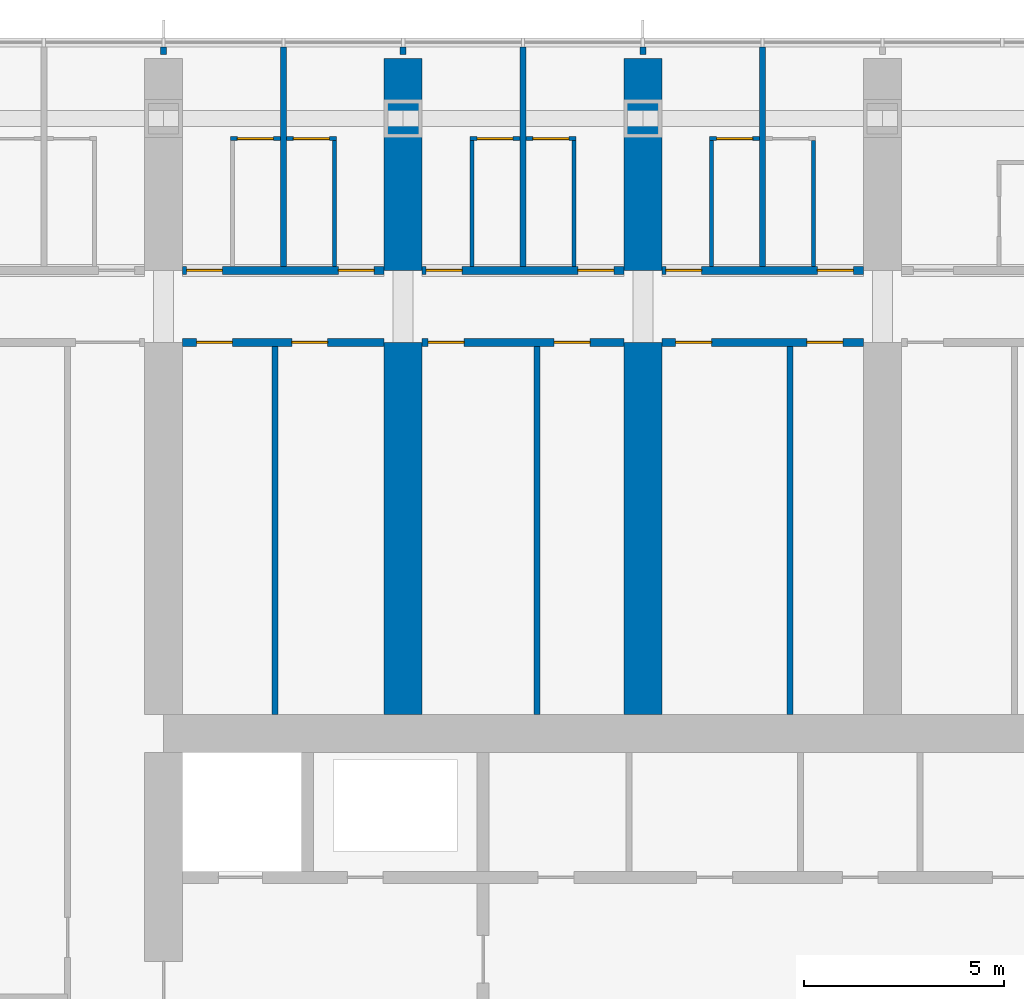
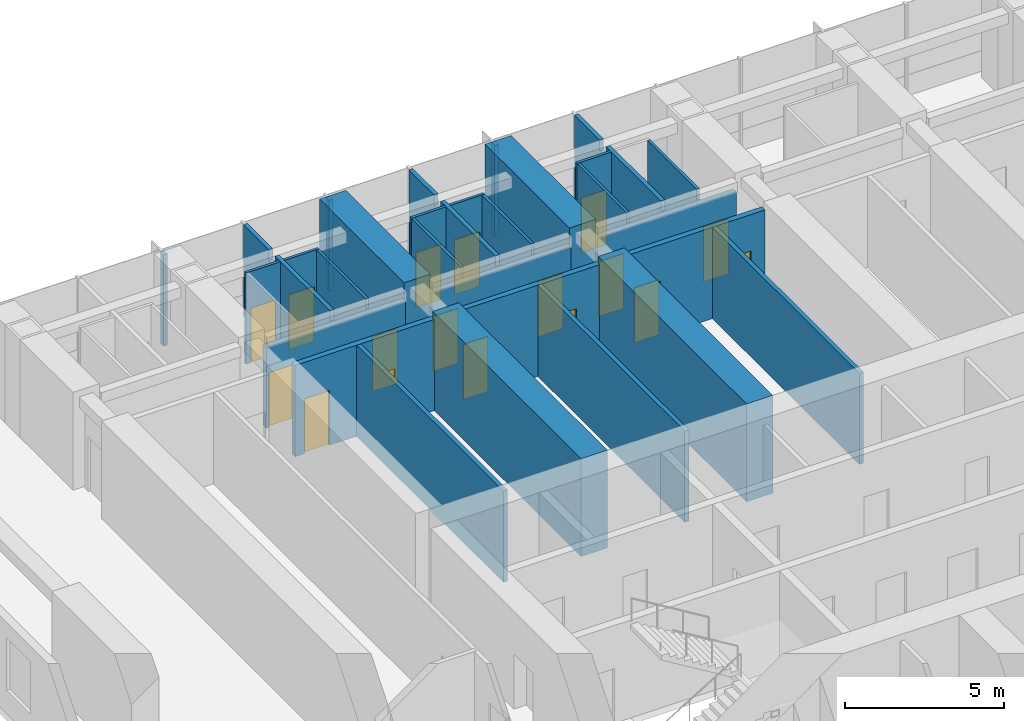
# One storey, part 14 of 22: 29 walls, 17 doors, 17 openings.
"""IFC4 building model written with IfcOpenShell, lengths in metres."""

from ifc_helpers import new_model, si_unit, direction, frame, frame_2d, origin, place, context, subcontext, project, spatial, polyline, rectangle, outline, extrude, material, layer, layer_set, type_object, element, fill, save


model = new_model("IFC4")

# Units and contexts
model_context = context("Model", 3, precision=1e-05, world=origin(), true_north=direction((0.0, 1.0)))
body_context = subcontext(model_context, "Body", "Model", "MODEL_VIEW")
ifc_project = project(units=[si_unit("LENGTHUNIT", "METRE"), si_unit("AREAUNIT", "SQUARE_METRE"), si_unit("VOLUMEUNIT", "CUBIC_METRE"), si_unit("PLANEANGLEUNIT", "RADIAN"), si_unit("MASSUNIT", "GRAM", prefix="KILO")], contexts=[model_context])

# Site, building, storey
site_placement = place(None, origin())
site = spatial("IfcSite", under=ifc_project, at=site_placement, CompositionType="ELEMENT")
building_placement = place(site_placement, origin())
building = spatial("IfcBuilding", under=site, at=building_placement, Name="Orbita Commons", CompositionType="ELEMENT")
storey_placement = place(building_placement, frame((0.0, 0.0, 121.89990234375)))
storey = spatial("IfcBuildingStorey", under=building, at=storey_placement, Name="L30", CompositionType="ELEMENT", Elevation=121.89990234375)

# Wall, openings, doors
ifc_material_1 = material(Name="Concrete blockwork", Category="masonry")
ifc_layer_1 = layer(ifc_material_1, 0.199951171875)
ifc_layer_set_1 = layer_set([ifc_layer_1], Name="Concrete blockwork")
wall_type_1 = type_object("IfcWallType", Name="Corridor wall 200 blockwork", PredefinedType="SOLIDWALL", material=ifc_layer_set_1)
wall_1_placement = place(storey_placement, frame((18.47509765625, 49.800048828125, 0.0), z_axis=(0.0, 0.0, 1.0), x_axis=(1.0, 0.0, 0.0)))
wall_1 = element("IfcWall", 1, at=wall_1_placement, inside=storey, type_object=wall_type_1, Name="Corridor wall 200 blockwork L30", PredefinedType="SOLIDWALL", context=body_context, shape_type="SweptSolid", body=[
    extrude(outline(polyline([(0.0, 0.0), (5.0498046875, 0.0), (5.050048828125, 3.10009765625), (0.0, 3.10009765625), (0.0, 0.0)])), frame((0.0, 0.10009765625, 0.0), z_axis=(0.0, -1.0, 0.0), x_axis=(1.0, 0.0, 0.0)), (0.0, 0.0, 1.0), 0.199951171875),
])
opening_1_placement = place(wall_1_placement, frame((0.10009765625, 0.0, 0.0)))
opening_1 = element("IfcOpeningElement", 2, at=opening_1_placement, cuts=wall_1, Name="Opening D11", PredefinedType="OPENING", context=body_context, shape_type="SweptSolid", body=[
    extrude(rectangle(XDim=0.89990234375, YDim=2.10009765625, at=frame_2d((0.449951171875, 1.050048828125))), frame((0.0, 0.10986328125, 0.0), z_axis=(0.0, -1.0, 0.0), x_axis=(1.0, 0.0, 0.0)), (0.0, 0.0, 1.0), 0.219970703125),
])
opening_2_placement = place(wall_1_placement, frame((3.89990234375, 0.0, 0.0)))
opening_2 = element("IfcOpeningElement", 3, at=opening_2_placement, cuts=wall_1, Name="Opening D11", PredefinedType="OPENING", context=body_context, shape_type="SweptSolid", body=[
    extrude(rectangle(XDim=0.89990234375, YDim=2.10009765625, at=frame_2d((0.449951171875, 1.050048828125))), frame((0.0, 0.10986328125, 0.0), z_axis=(0.0, -1.0, 0.0), x_axis=(1.0, 0.0, 0.0)), (0.0, 0.0, 1.0), 0.219970703125),
])
ifc_material_2 = material(Name="Steel-faced fire door leaf", Category="steel")
door_type_1 = type_object("IfcDoorType", Name="Corridor door 20 min 900x2100", OperationType="SINGLE_SWING_LEFT", PredefinedType="DOOR", material=ifc_material_2)
door_1_placement = place(opening_1_placement, origin())
door_1 = element("IfcDoor", 4, at=door_1_placement, inside=storey, type_object=door_type_1, Name="Cluster bedroom L30-N02 door", OperationType="SINGLE_SWING_LEFT", OverallHeight=2.10009765625, OverallWidth=0.89990234375, PredefinedType="DOOR", context=body_context, shape_type="SweptSolid", body=[
    extrude(rectangle(XDim=0.89990234375, YDim=2.10009765625, at=frame_2d((0.449951171875, 1.050048828125))), frame((0.0, 0.02490234375, 0.0), z_axis=(0.0, -1.0, 0.0), x_axis=(1.0, 0.0, 0.0)), (0.0, 0.0, 1.0), 0.050048828125),
])
fill(opening_1, door_1)
door_2_placement = place(opening_2_placement, origin())
door_2 = element("IfcDoor", 5, at=door_2_placement, inside=storey, type_object=door_type_1, Name="Cluster bedroom L30-N03 door", OperationType="SINGLE_SWING_LEFT", OverallHeight=2.10009765625, OverallWidth=0.89990234375, PredefinedType="DOOR", context=body_context, shape_type="SweptSolid", body=[
    extrude(rectangle(XDim=0.89990234375, YDim=2.10009765625, at=frame_2d((0.449951171875, 1.050048828125))), frame((0.0, 0.02490234375, 0.0), z_axis=(0.0, -1.0, 0.0), x_axis=(1.0, 0.0, 0.0)), (0.0, 0.0, 1.0), 0.050048828125),
])
fill(opening_2, door_2)

wall_2_placement = place(storey_placement, frame((24.47509765625, 49.800048828125, 0.0), z_axis=(0.0, 0.0, 1.0), x_axis=(1.0, 0.0, 0.0)))
wall_2 = element("IfcWall", 6, at=wall_2_placement, inside=storey, type_object=wall_type_1, Name="Corridor wall 200 blockwork L30", PredefinedType="SOLIDWALL", context=body_context, shape_type="SweptSolid", body=[
    extrude(outline(polyline([(0.0, 0.0), (5.0498046875, 0.0), (5.050048828125, 3.10009765625), (0.0, 3.10009765625), (0.0, 0.0)])), frame((0.0, 0.10009765625, 0.0), z_axis=(0.0, -1.0, 0.0), x_axis=(1.0, 0.0, 0.0)), (0.0, 0.0, 1.0), 0.199951171875),
])
opening_3_placement = place(wall_2_placement, frame((0.10009765625, 0.0, 0.0)))
opening_3 = element("IfcOpeningElement", 7, at=opening_3_placement, cuts=wall_2, Name="Opening D11", PredefinedType="OPENING", context=body_context, shape_type="SweptSolid", body=[
    extrude(rectangle(XDim=0.89990234375, YDim=2.10009765625, at=frame_2d((0.449951171875, 1.050048828125))), frame((0.0, 0.10986328125, 0.0), z_axis=(0.0, -1.0, 0.0), x_axis=(1.0, 0.0, 0.0)), (0.0, 0.0, 1.0), 0.219970703125),
])
opening_4_placement = place(wall_2_placement, frame((3.89990234375, 0.0, 0.0)))
opening_4 = element("IfcOpeningElement", 8, at=opening_4_placement, cuts=wall_2, Name="Opening D11", PredefinedType="OPENING", context=body_context, shape_type="SweptSolid", body=[
    extrude(rectangle(XDim=0.89990234375, YDim=2.10009765625, at=frame_2d((0.449951171875, 1.050048828125))), frame((0.0, 0.10986328125, 0.0), z_axis=(0.0, -1.0, 0.0), x_axis=(1.0, 0.0, 0.0)), (0.0, 0.0, 1.0), 0.219970703125),
])
door_3_placement = place(opening_3_placement, origin())
door_3 = element("IfcDoor", 9, at=door_3_placement, inside=storey, type_object=door_type_1, Name="Cluster bedroom L30-N04 door", OperationType="SINGLE_SWING_LEFT", OverallHeight=2.10009765625, OverallWidth=0.89990234375, PredefinedType="DOOR", context=body_context, shape_type="SweptSolid", body=[
    extrude(rectangle(XDim=0.89990234375, YDim=2.10009765625, at=frame_2d((0.449951171875, 1.050048828125))), frame((0.0, 0.02490234375, 0.0), z_axis=(0.0, -1.0, 0.0), x_axis=(1.0, 0.0, 0.0)), (0.0, 0.0, 1.0), 0.050048828125),
])
fill(opening_3, door_3)
door_4_placement = place(opening_4_placement, origin())
door_4 = element("IfcDoor", 10, at=door_4_placement, inside=storey, type_object=door_type_1, Name="Cluster bedroom L30-N05 door", OperationType="SINGLE_SWING_LEFT", OverallHeight=2.10009765625, OverallWidth=0.89990234375, PredefinedType="DOOR", context=body_context, shape_type="SweptSolid", body=[
    extrude(rectangle(XDim=0.89990234375, YDim=2.10009765625, at=frame_2d((0.449951171875, 1.050048828125))), frame((0.0, 0.02490234375, 0.0), z_axis=(0.0, -1.0, 0.0), x_axis=(1.0, 0.0, 0.0)), (0.0, 0.0, 1.0), 0.050048828125),
])
fill(opening_4, door_4)

wall_3_placement = place(storey_placement, frame((30.47509765625, 49.800048828125, 0.0), z_axis=(0.0, 0.0, 1.0), x_axis=(1.0, 0.0, 0.0)))
wall_3 = element("IfcWall", 11, at=wall_3_placement, inside=storey, type_object=wall_type_1, Name="Corridor wall 200 blockwork L30", PredefinedType="SOLIDWALL", context=body_context, shape_type="SweptSolid", body=[
    extrude(outline(polyline([(0.0, 0.0), (5.0498046875, 0.0), (5.050048828125, 3.10009765625), (0.0, 3.10009765625), (0.0, 0.0)])), frame((0.0, 0.10009765625, 0.0), z_axis=(0.0, -1.0, 0.0), x_axis=(1.0, 0.0, 0.0)), (0.0, 0.0, 1.0), 0.199951171875),
])
opening_5_placement = place(wall_3_placement, frame((0.10009765625, 0.0, 0.0)))
opening_5 = element("IfcOpeningElement", 12, at=opening_5_placement, cuts=wall_3, Name="Opening D11", PredefinedType="OPENING", context=body_context, shape_type="SweptSolid", body=[
    extrude(rectangle(XDim=0.89990234375, YDim=2.10009765625, at=frame_2d((0.449951171875, 1.050048828125))), frame((0.0, 0.10986328125, 0.0), z_axis=(0.0, -1.0, 0.0), x_axis=(1.0, 0.0, 0.0)), (0.0, 0.0, 1.0), 0.219970703125),
])
opening_6_placement = place(wall_3_placement, frame((3.89990234375, 0.0, 0.0)))
opening_6 = element("IfcOpeningElement", 13, at=opening_6_placement, cuts=wall_3, Name="Opening D11", PredefinedType="OPENING", context=body_context, shape_type="SweptSolid", body=[
    extrude(rectangle(XDim=0.89990234375, YDim=2.10009765625, at=frame_2d((0.449951171875, 1.050048828125))), frame((0.0, 0.10986328125, 0.0), z_axis=(0.0, -1.0, 0.0), x_axis=(1.0, 0.0, 0.0)), (0.0, 0.0, 1.0), 0.219970703125),
])
door_5_placement = place(opening_5_placement, origin())
door_5 = element("IfcDoor", 14, at=door_5_placement, inside=storey, type_object=door_type_1, Name="Cluster bedroom L30-N06 door", OperationType="SINGLE_SWING_LEFT", OverallHeight=2.10009765625, OverallWidth=0.89990234375, PredefinedType="DOOR", context=body_context, shape_type="SweptSolid", body=[
    extrude(rectangle(XDim=0.89990234375, YDim=2.10009765625, at=frame_2d((0.449951171875, 1.050048828125))), frame((0.0, 0.02490234375, 0.0), z_axis=(0.0, -1.0, 0.0), x_axis=(1.0, 0.0, 0.0)), (0.0, 0.0, 1.0), 0.050048828125),
])
fill(opening_5, door_5)
door_6_placement = place(opening_6_placement, origin())
door_6 = element("IfcDoor", 15, at=door_6_placement, inside=storey, type_object=door_type_1, Name="Cluster bedroom L30-N07 door", OperationType="SINGLE_SWING_LEFT", OverallHeight=2.10009765625, OverallWidth=0.89990234375, PredefinedType="DOOR", context=body_context, shape_type="SweptSolid", body=[
    extrude(rectangle(XDim=0.89990234375, YDim=2.10009765625, at=frame_2d((0.449951171875, 1.050048828125))), frame((0.0, 0.02490234375, 0.0), z_axis=(0.0, -1.0, 0.0), x_axis=(1.0, 0.0, 0.0)), (0.0, 0.0, 1.0), 0.050048828125),
])
fill(opening_6, door_6)

ifc_material_3 = material(Name="Hollow concrete block 200", Category="concrete")
ifc_layer_2 = layer(ifc_material_3, 0.199951171875)
ifc_layer_set_2 = layer_set([ifc_layer_2], Name="Hollow concrete block 200")
wall_type_2 = type_object("IfcWallType", Name="Corridor wall 200 hollow concrete block", PredefinedType="SOLIDWALL", material=ifc_layer_set_2)
wall_4_placement = place(storey_placement, frame((18.47509765625, 48.0, 0.0), z_axis=(0.0, 0.0, 1.0), x_axis=(1.0, 0.0, 0.0)))
wall_4 = element("IfcWall", 16, at=wall_4_placement, inside=storey, type_object=wall_type_2, Name="Corridor wall 200 hollow concrete block L30", PredefinedType="SOLIDWALL", context=body_context, shape_type="SweptSolid", body=[
    extrude(rectangle(XDim=5.0498046875, YDim=0.199951171875, at=frame_2d((2.52490234375, 0.0))), origin(), (0.0, 0.0, 1.0), 3.5),
])
opening_7_placement = place(wall_4_placement, frame((0.35009765625, 0.0, 0.0)))
opening_7 = element("IfcOpeningElement", 17, at=opening_7_placement, cuts=wall_4, Name="Opening D11", PredefinedType="OPENING", context=body_context, shape_type="SweptSolid", body=[
    extrude(rectangle(XDim=0.89990234375, YDim=2.10009765625, at=frame_2d((0.449951171875, 1.050048828125))), frame((0.0, 0.10986328125, 0.0), z_axis=(0.0, -1.0, 0.0), x_axis=(1.0, 0.0, 0.0)), (0.0, 0.0, 1.0), 0.219970703125),
])
opening_8_placement = place(wall_4_placement, frame((2.735107421875, 0.0, 0.0)))
opening_8 = element("IfcOpeningElement", 18, at=opening_8_placement, cuts=wall_4, Name="Opening D11", PredefinedType="OPENING", context=body_context, shape_type="SweptSolid", body=[
    extrude(rectangle(XDim=0.89990234375, YDim=2.10009765625, at=frame_2d((0.449951171875, 1.050048828125))), frame((0.0, 0.10986328125, 0.0), z_axis=(0.0, -1.0, 0.0), x_axis=(1.0, 0.0, 0.0)), (0.0, 0.0, 1.0), 0.219970703125),
])
door_7_placement = place(opening_7_placement, origin())
door_7 = element("IfcDoor", 19, at=door_7_placement, inside=storey, type_object=door_type_1, Name="Equipment store L30-BDN18n door", OperationType="SINGLE_SWING_LEFT", OverallHeight=2.10009765625, OverallWidth=0.89990234375, PredefinedType="DOOR", context=body_context, shape_type="SweptSolid", body=[
    extrude(rectangle(XDim=0.89990234375, YDim=2.10009765625, at=frame_2d((0.449951171875, 1.050048828125))), frame((0.0, 0.02490234375, 0.0), z_axis=(0.0, -1.0, 0.0), x_axis=(1.0, 0.0, 0.0)), (0.0, 0.0, 1.0), 0.050048828125),
])
fill(opening_7, door_7)
door_8_placement = place(opening_8_placement, origin())
door_8 = element("IfcDoor", 20, at=door_8_placement, inside=storey, type_object=door_type_1, Name="Refuse and recycling room L30-BDN18 door", OperationType="SINGLE_SWING_LEFT", OverallHeight=2.10009765625, OverallWidth=0.89990234375, PredefinedType="DOOR", context=body_context, shape_type="SweptSolid", body=[
    extrude(rectangle(XDim=0.89990234375, YDim=2.10009765625, at=frame_2d((0.449951171875, 1.050048828125))), frame((0.0, 0.02490234375, 0.0), z_axis=(0.0, -1.0, 0.0), x_axis=(1.0, 0.0, 0.0)), (0.0, 0.0, 1.0), 0.050048828125),
])
fill(opening_8, door_8)

wall_5_placement = place(storey_placement, frame((24.47509765625, 48.0, 0.0), z_axis=(0.0, 0.0, 1.0), x_axis=(1.0, 0.0, 0.0)))
wall_5 = element("IfcWall", 21, at=wall_5_placement, inside=storey, type_object=wall_type_2, Name="Corridor wall 200 hollow concrete block L30", PredefinedType="SOLIDWALL", context=body_context, shape_type="SweptSolid", body=[
    extrude(rectangle(XDim=5.0498046875, YDim=0.199951171875, at=frame_2d((2.52490234375, 0.0))), origin(), (0.0, 0.0, 1.0), 3.5),
])
opening_9_placement = place(wall_5_placement, frame((0.14990234375, 0.0, 0.0)))
opening_9 = element("IfcOpeningElement", 22, at=opening_9_placement, cuts=wall_5, Name="Opening D11", PredefinedType="OPENING", context=body_context, shape_type="SweptSolid", body=[
    extrude(rectangle(XDim=0.89990234375, YDim=2.10009765625, at=frame_2d((0.449951171875, 1.050048828125))), frame((0.0, 0.10986328125, 0.0), z_axis=(0.0, -1.0, 0.0), x_axis=(1.0, 0.0, 0.0)), (0.0, 0.0, 1.0), 0.219970703125),
])
opening_10_placement = place(wall_5_placement, frame((3.304931640625, 0.0, 0.0)))
opening_10 = element("IfcOpeningElement", 23, at=opening_10_placement, cuts=wall_5, Name="Opening D11", PredefinedType="OPENING", context=body_context, shape_type="SweptSolid", body=[
    extrude(rectangle(XDim=0.89990234375, YDim=2.10009765625, at=frame_2d((0.449951171875, 1.050048828125))), frame((0.0, 0.10986328125, 0.0), z_axis=(0.0, -1.0, 0.0), x_axis=(1.0, 0.0, 0.0)), (0.0, 0.0, 1.0), 0.219970703125),
])
door_9_placement = place(opening_9_placement, origin())
door_9 = element("IfcDoor", 24, at=door_9_placement, inside=storey, type_object=door_type_1, Name="Drying room L30-BDN24 door", OperationType="SINGLE_SWING_LEFT", OverallHeight=2.10009765625, OverallWidth=0.89990234375, PredefinedType="DOOR", context=body_context, shape_type="SweptSolid", body=[
    extrude(rectangle(XDim=0.89990234375, YDim=2.10009765625, at=frame_2d((0.449951171875, 1.050048828125))), frame((0.0, 0.02490234375, 0.0), z_axis=(0.0, -1.0, 0.0), x_axis=(1.0, 0.0, 0.0)), (0.0, 0.0, 1.0), 0.050048828125),
])
fill(opening_9, door_9)
door_10_placement = place(opening_10_placement, origin())
door_10 = element("IfcDoor", 25, at=door_10_placement, inside=storey, type_object=door_type_1, Name="Battery and UPS room L30-BDN24n door", OperationType="SINGLE_SWING_LEFT", OverallHeight=2.10009765625, OverallWidth=0.89990234375, PredefinedType="DOOR", context=body_context, shape_type="SweptSolid", body=[
    extrude(rectangle(XDim=0.89990234375, YDim=2.10009765625, at=frame_2d((0.449951171875, 1.050048828125))), frame((0.0, 0.02490234375, 0.0), z_axis=(0.0, -1.0, 0.0), x_axis=(1.0, 0.0, 0.0)), (0.0, 0.0, 1.0), 0.050048828125),
])
fill(opening_10, door_10)

wall_6_placement = place(storey_placement, frame((30.47509765625, 48.0, 0.0), z_axis=(0.0, 0.0, 1.0), x_axis=(1.0, 0.0, 0.0)))
wall_6 = element("IfcWall", 26, at=wall_6_placement, inside=storey, type_object=wall_type_2, Name="Corridor wall 200 hollow concrete block L30", PredefinedType="SOLIDWALL", context=body_context, shape_type="SweptSolid", body=[
    extrude(rectangle(XDim=5.0498046875, YDim=0.199951171875, at=frame_2d((2.52490234375, 0.0))), origin(), (0.0, 0.0, 1.0), 3.5),
])
opening_11_placement = place(wall_6_placement, frame((0.35009765625, 0.0, 0.0)))
opening_11 = element("IfcOpeningElement", 27, at=opening_11_placement, cuts=wall_6, Name="Opening D11", PredefinedType="OPENING", context=body_context, shape_type="SweptSolid", body=[
    extrude(rectangle(XDim=0.89990234375, YDim=2.10009765625, at=frame_2d((0.449951171875, 1.050048828125))), frame((0.0, 0.10986328125, 0.0), z_axis=(0.0, -1.0, 0.0), x_axis=(1.0, 0.0, 0.0)), (0.0, 0.0, 1.0), 0.219970703125),
])
opening_12_placement = place(wall_6_placement, frame((3.635009765625, 0.0, 0.0)))
opening_12 = element("IfcOpeningElement", 28, at=opening_12_placement, cuts=wall_6, Name="Opening D11", PredefinedType="OPENING", context=body_context, shape_type="SweptSolid", body=[
    extrude(rectangle(XDim=0.89990234375, YDim=2.10009765625, at=frame_2d((0.449951171875, 1.050048828125))), frame((0.0, 0.10986328125, 0.0), z_axis=(0.0, -1.0, 0.0), x_axis=(1.0, 0.0, 0.0)), (0.0, 0.0, 1.0), 0.219970703125),
])
door_11_placement = place(opening_11_placement, origin())
door_11 = element("IfcDoor", 29, at=door_11_placement, inside=storey, type_object=door_type_1, Name="IT and print room L30-BDN30 door", OperationType="SINGLE_SWING_LEFT", OverallHeight=2.10009765625, OverallWidth=0.89990234375, PredefinedType="DOOR", context=body_context, shape_type="SweptSolid", body=[
    extrude(rectangle(XDim=0.89990234375, YDim=2.10009765625, at=frame_2d((0.449951171875, 1.050048828125))), frame((0.0, 0.02490234375, 0.0), z_axis=(0.0, -1.0, 0.0), x_axis=(1.0, 0.0, 0.0)), (0.0, 0.0, 1.0), 0.050048828125),
])
fill(opening_11, door_11)
door_12_placement = place(opening_12_placement, origin())
door_12 = element("IfcDoor", 30, at=door_12_placement, inside=storey, type_object=door_type_1, Name="Sprinkler valve room L30-BDN30n door", OperationType="SINGLE_SWING_LEFT", OverallHeight=2.10009765625, OverallWidth=0.89990234375, PredefinedType="DOOR", context=body_context, shape_type="SweptSolid", body=[
    extrude(rectangle(XDim=0.89990234375, YDim=2.10009765625, at=frame_2d((0.449951171875, 1.050048828125))), frame((0.0, 0.02490234375, 0.0), z_axis=(0.0, -1.0, 0.0), x_axis=(1.0, 0.0, 0.0)), (0.0, 0.0, 1.0), 0.050048828125),
])
fill(opening_12, door_12)

# Walls
ifc_material_4 = material(Name="Concrete C50/60", Category="concrete")
ifc_layer_3 = layer(ifc_material_4, 0.949951171875)
ifc_layer_set_3 = layer_set([ifc_layer_3], Name="Concrete C50/60")
wall_type_3 = type_object("IfcWallType", Name="Cross wall 950 C50/60", PredefinedType="SHEAR", material=ifc_layer_set_3)
wall_7_placement = place(storey_placement, frame((24.0, 49.800048828125, 0.0), z_axis=(0.0, 0.0, 1.0), x_axis=(0.0, 1.0, 0.0)))
element("IfcWall", 31, at=wall_7_placement, inside=storey, type_object=wall_type_3, Name="Cross wall 5 north outer L30", PredefinedType="SHEAR", context=body_context, shape_type="SweptSolid", body=[
    extrude(rectangle(XDim=5.300048828125, YDim=0.949951171875, at=frame_2d((2.64990234375, 0.0))), origin(), (0.0, 0.0, 1.0), 3.75),
])
wall_8_placement = place(storey_placement, frame((24.0, 38.675048828125, 0.0), z_axis=(0.0, 0.0, 1.0), x_axis=(0.0, 1.0, 0.0)))
element("IfcWall", 32, at=wall_8_placement, inside=storey, type_object=wall_type_3, Name="Cross wall 5 north inner L30", PredefinedType="SHEAR", context=body_context, shape_type="SweptSolid", body=[
    extrude(rectangle(XDim=9.324951171875, YDim=0.949951171875, at=frame_2d((4.66259765625, 0.0))), origin(), (0.0, 0.0, 1.0), 3.75),
])
wall_9_placement = place(storey_placement, frame((30.0, 49.800048828125, 0.0), z_axis=(0.0, 0.0, 1.0), x_axis=(0.0, 1.0, 0.0)))
element("IfcWall", 33, at=wall_9_placement, inside=storey, type_object=wall_type_3, Name="Cross wall 6 north outer L30", PredefinedType="SHEAR", context=body_context, shape_type="SweptSolid", body=[
    extrude(rectangle(XDim=5.300048828125, YDim=0.949951171875, at=frame_2d((2.64990234375, 0.0))), origin(), (0.0, 0.0, 1.0), 3.75),
])
wall_10_placement = place(storey_placement, frame((30.0, 38.675048828125, 0.0), z_axis=(0.0, 0.0, 1.0), x_axis=(0.0, 1.0, 0.0)))
element("IfcWall", 34, at=wall_10_placement, inside=storey, type_object=wall_type_3, Name="Cross wall 6 north inner L30", PredefinedType="SHEAR", context=body_context, shape_type="SweptSolid", body=[
    extrude(rectangle(XDim=9.324951171875, YDim=0.949951171875, at=frame_2d((4.66259765625, 0.0))), origin(), (0.0, 0.0, 1.0), 3.75),
])

# Wall, opening, door
ifc_material_5 = material(Name="Moisture-resistant plasterboard on steel studs", Category="steel")
ifc_layer_4 = layer(ifc_material_5, 0.10009765625)
ifc_layer_set_4 = layer_set([ifc_layer_4], Name="Moisture-resistant plasterboard on steel studs")
wall_type_4 = type_object("IfcWallType", Name="En-suite partition 100", PredefinedType="PARTITIONING", material=ifc_layer_set_4)
wall_11_placement = place(storey_placement, frame((19.675048828125, 53.10009765625, 0.0), z_axis=(0.0, 0.0, 1.0), x_axis=(1.0, 0.0, 0.0)))
wall_11 = element("IfcWall", 35, at=wall_11_placement, inside=storey, type_object=wall_type_4, Name="En-suite partition 100 L30", PredefinedType="PARTITIONING", context=body_context, shape_type="SweptSolid", body=[
    extrude(rectangle(XDim=1.25, YDim=0.10009765625, at=frame_2d((0.625, 0.0))), origin(), (0.0, 0.0, 1.0), 3.5),
])
opening_13_placement = place(wall_11_placement, frame((0.175048828125, 0.0, 0.0)))
opening_13 = element("IfcOpeningElement", 36, at=opening_13_placement, cuts=wall_11, Name="Opening D09", PredefinedType="OPENING", context=body_context, shape_type="SweptSolid", body=[
    extrude(rectangle(XDim=0.89990234375, YDim=2.10009765625, at=frame_2d((0.449951171875, 1.050048828125))), frame((0.0, 0.06005859375, 0.0), z_axis=(0.0, -1.0, 0.0), x_axis=(1.0, 0.0, 0.0)), (0.0, 0.0, 1.0), 0.1201171875),
])
ifc_material_6 = material(Name="Laminated timber door leaf", Category="wood")
door_type_2 = type_object("IfcDoorType", Name="En-suite door 900x2100", OperationType="SINGLE_SWING_RIGHT", PredefinedType="DOOR", material=ifc_material_6)
door_13_placement = place(opening_13_placement, origin())
door_13 = element("IfcDoor", 37, at=door_13_placement, inside=storey, type_object=door_type_2, Name="En-suite L30-N02 door", OperationType="SINGLE_SWING_RIGHT", OverallHeight=2.10009765625, OverallWidth=0.89990234375, PredefinedType="DOOR", context=body_context, shape_type="SweptSolid", body=[
    extrude(rectangle(XDim=0.89990234375, YDim=2.10009765625, at=frame_2d((0.449951171875, 1.050048828125))), frame((0.0, 0.02490234375, 0.0), z_axis=(0.0, -1.0, 0.0), x_axis=(1.0, 0.0, 0.0)), (0.0, 0.0, 1.0), 0.050048828125),
])
fill(opening_13, door_13)

wall_12_placement = place(storey_placement, frame((21.074951171875, 53.10009765625, 0.0), z_axis=(0.0, 0.0, 1.0), x_axis=(1.0, 0.0, 0.0)))
wall_12 = element("IfcWall", 38, at=wall_12_placement, inside=storey, type_object=wall_type_4, Name="En-suite partition 100 L30", PredefinedType="PARTITIONING", context=body_context, shape_type="SweptSolid", body=[
    extrude(rectangle(XDim=1.25, YDim=0.10009765625, at=frame_2d((0.625, 0.0))), origin(), (0.0, 0.0, 1.0), 3.5),
])
opening_14_placement = place(wall_12_placement, frame((0.175048828125, 0.0, 0.0)))
opening_14 = element("IfcOpeningElement", 39, at=opening_14_placement, cuts=wall_12, Name="Opening D09", PredefinedType="OPENING", context=body_context, shape_type="SweptSolid", body=[
    extrude(rectangle(XDim=0.89990234375, YDim=2.10009765625, at=frame_2d((0.449951171875, 1.050048828125))), frame((0.0, 0.06005859375, 0.0), z_axis=(0.0, -1.0, 0.0), x_axis=(1.0, 0.0, 0.0)), (0.0, 0.0, 1.0), 0.1201171875),
])
door_14_placement = place(opening_14_placement, origin())
door_14 = element("IfcDoor", 40, at=door_14_placement, inside=storey, type_object=door_type_2, Name="En-suite L30-N03 door", OperationType="SINGLE_SWING_RIGHT", OverallHeight=2.10009765625, OverallWidth=0.89990234375, PredefinedType="DOOR", context=body_context, shape_type="SweptSolid", body=[
    extrude(rectangle(XDim=0.89990234375, YDim=2.10009765625, at=frame_2d((0.449951171875, 1.050048828125))), frame((0.0, 0.02490234375, 0.0), z_axis=(0.0, -1.0, 0.0), x_axis=(1.0, 0.0, 0.0)), (0.0, 0.0, 1.0), 0.050048828125),
])
fill(opening_14, door_14)

# Wall
wall_13_placement = place(storey_placement, frame((22.27490234375, 53.050048828125, 0.0), z_axis=(0.0, 0.0, 1.0), x_axis=(0.0, -1.0, 0.0)))
element("IfcWall", 41, at=wall_13_placement, inside=storey, type_object=wall_type_4, Name="En-suite partition 100 L30", PredefinedType="PARTITIONING", context=body_context, shape_type="SweptSolid", body=[
    extrude(outline(polyline([(0.0, 0.0), (3.150146484375, 0.0), (3.14990234375, 3.10009765625), (3.10205078125, 3.10009765625), (3.10009765625, 3.5), (0.0, 3.5), (0.0, 0.0)])), frame((0.0, 0.050048828125, 0.0), z_axis=(0.0, -1.0, 0.0), x_axis=(1.0, 0.0, 0.0)), (0.0, 0.0, 1.0), 0.10009765625),
])

# Wall, opening, door
wall_14_placement = place(storey_placement, frame((25.675048828125, 53.10009765625, 0.0), z_axis=(0.0, 0.0, 1.0), x_axis=(1.0, 0.0, 0.0)))
wall_14 = element("IfcWall", 42, at=wall_14_placement, inside=storey, type_object=wall_type_4, Name="En-suite partition 100 L30", PredefinedType="PARTITIONING", context=body_context, shape_type="SweptSolid", body=[
    extrude(rectangle(XDim=1.25, YDim=0.10009765625, at=frame_2d((0.625, 0.0))), origin(), (0.0, 0.0, 1.0), 3.5),
])
opening_15_placement = place(wall_14_placement, frame((0.175048828125, 0.0, 0.0)))
opening_15 = element("IfcOpeningElement", 43, at=opening_15_placement, cuts=wall_14, Name="Opening D09", PredefinedType="OPENING", context=body_context, shape_type="SweptSolid", body=[
    extrude(rectangle(XDim=0.89990234375, YDim=2.10009765625, at=frame_2d((0.449951171875, 1.050048828125))), frame((0.0, 0.06005859375, 0.0), z_axis=(0.0, -1.0, 0.0), x_axis=(1.0, 0.0, 0.0)), (0.0, 0.0, 1.0), 0.1201171875),
])
door_15_placement = place(opening_15_placement, origin())
door_15 = element("IfcDoor", 44, at=door_15_placement, inside=storey, type_object=door_type_2, Name="En-suite L30-N04 door", OperationType="SINGLE_SWING_RIGHT", OverallHeight=2.10009765625, OverallWidth=0.89990234375, PredefinedType="DOOR", context=body_context, shape_type="SweptSolid", body=[
    extrude(rectangle(XDim=0.89990234375, YDim=2.10009765625, at=frame_2d((0.449951171875, 1.050048828125))), frame((0.0, 0.02490234375, 0.0), z_axis=(0.0, -1.0, 0.0), x_axis=(1.0, 0.0, 0.0)), (0.0, 0.0, 1.0), 0.050048828125),
])
fill(opening_15, door_15)

# Wall
wall_15_placement = place(storey_placement, frame((25.72509765625, 53.050048828125, 0.0), z_axis=(0.0, 0.0, 1.0), x_axis=(0.0, -1.0, 0.0)))
element("IfcWall", 45, at=wall_15_placement, inside=storey, type_object=wall_type_4, Name="En-suite partition 100 L30", PredefinedType="PARTITIONING", context=body_context, shape_type="SweptSolid", body=[
    extrude(outline(polyline([(0.0, 0.0), (3.150146484375, 0.0), (3.14990234375, 3.10009765625), (3.10205078125, 3.10009765625), (3.10009765625, 3.5), (0.0, 3.5), (0.0, 0.0)])), frame((0.0, 0.050048828125, 0.0), z_axis=(0.0, -1.0, 0.0), x_axis=(1.0, 0.0, 0.0)), (0.0, 0.0, 1.0), 0.10009765625),
])

# Wall, opening, door
wall_16_placement = place(storey_placement, frame((27.074951171875, 53.10009765625, 0.0), z_axis=(0.0, 0.0, 1.0), x_axis=(1.0, 0.0, 0.0)))
wall_16 = element("IfcWall", 46, at=wall_16_placement, inside=storey, type_object=wall_type_4, Name="En-suite partition 100 L30", PredefinedType="PARTITIONING", context=body_context, shape_type="SweptSolid", body=[
    extrude(rectangle(XDim=1.25, YDim=0.10009765625, at=frame_2d((0.625, 0.0))), origin(), (0.0, 0.0, 1.0), 3.5),
])
opening_16_placement = place(wall_16_placement, frame((0.175048828125, 0.0, 0.0)))
opening_16 = element("IfcOpeningElement", 47, at=opening_16_placement, cuts=wall_16, Name="Opening D09", PredefinedType="OPENING", context=body_context, shape_type="SweptSolid", body=[
    extrude(rectangle(XDim=0.89990234375, YDim=2.10009765625, at=frame_2d((0.449951171875, 1.050048828125))), frame((0.0, 0.06005859375, 0.0), z_axis=(0.0, -1.0, 0.0), x_axis=(1.0, 0.0, 0.0)), (0.0, 0.0, 1.0), 0.1201171875),
])
door_16_placement = place(opening_16_placement, origin())
door_16 = element("IfcDoor", 48, at=door_16_placement, inside=storey, type_object=door_type_2, Name="En-suite L30-N05 door", OperationType="SINGLE_SWING_RIGHT", OverallHeight=2.10009765625, OverallWidth=0.89990234375, PredefinedType="DOOR", context=body_context, shape_type="SweptSolid", body=[
    extrude(rectangle(XDim=0.89990234375, YDim=2.10009765625, at=frame_2d((0.449951171875, 1.050048828125))), frame((0.0, 0.02490234375, 0.0), z_axis=(0.0, -1.0, 0.0), x_axis=(1.0, 0.0, 0.0)), (0.0, 0.0, 1.0), 0.050048828125),
])
fill(opening_16, door_16)

# Wall
wall_17_placement = place(storey_placement, frame((28.27490234375, 53.050048828125, 0.0), z_axis=(0.0, 0.0, 1.0), x_axis=(0.0, -1.0, 0.0)))
element("IfcWall", 49, at=wall_17_placement, inside=storey, type_object=wall_type_4, Name="En-suite partition 100 L30", PredefinedType="PARTITIONING", context=body_context, shape_type="SweptSolid", body=[
    extrude(outline(polyline([(0.0, 0.0), (3.150146484375, 0.0), (3.14990234375, 3.10009765625), (3.10205078125, 3.10009765625), (3.10009765625, 3.5), (0.0, 3.5), (0.0, 0.0)])), frame((0.0, 0.050048828125, 0.0), z_axis=(0.0, -1.0, 0.0), x_axis=(1.0, 0.0, 0.0)), (0.0, 0.0, 1.0), 0.10009765625),
])

# Wall, opening, door
wall_18_placement = place(storey_placement, frame((31.675048828125, 53.10009765625, 0.0), z_axis=(0.0, 0.0, 1.0), x_axis=(1.0, 0.0, 0.0)))
wall_18 = element("IfcWall", 50, at=wall_18_placement, inside=storey, type_object=wall_type_4, Name="En-suite partition 100 L30", PredefinedType="PARTITIONING", context=body_context, shape_type="SweptSolid", body=[
    extrude(rectangle(XDim=1.25, YDim=0.10009765625, at=frame_2d((0.625, 0.0))), origin(), (0.0, 0.0, 1.0), 3.5),
])
opening_17_placement = place(wall_18_placement, frame((0.175048828125, 0.0, 0.0)))
opening_17 = element("IfcOpeningElement", 51, at=opening_17_placement, cuts=wall_18, Name="Opening D09", PredefinedType="OPENING", context=body_context, shape_type="SweptSolid", body=[
    extrude(rectangle(XDim=0.89990234375, YDim=2.10009765625, at=frame_2d((0.449951171875, 1.050048828125))), frame((0.0, 0.06005859375, 0.0), z_axis=(0.0, -1.0, 0.0), x_axis=(1.0, 0.0, 0.0)), (0.0, 0.0, 1.0), 0.1201171875),
])
door_17_placement = place(opening_17_placement, origin())
door_17 = element("IfcDoor", 52, at=door_17_placement, inside=storey, type_object=door_type_2, Name="En-suite L30-N06 door", OperationType="SINGLE_SWING_RIGHT", OverallHeight=2.10009765625, OverallWidth=0.89990234375, PredefinedType="DOOR", context=body_context, shape_type="SweptSolid", body=[
    extrude(rectangle(XDim=0.89990234375, YDim=2.10009765625, at=frame_2d((0.449951171875, 1.050048828125))), frame((0.0, 0.02490234375, 0.0), z_axis=(0.0, -1.0, 0.0), x_axis=(1.0, 0.0, 0.0)), (0.0, 0.0, 1.0), 0.050048828125),
])
fill(opening_17, door_17)

# Walls
for number, where, z_axis, x_axis, name in (
    (53, (31.72509765625, 53.050048828125, 0.0), (0.0, 0.0, 1.0), (0.0, -1.0, 0.0), "En-suite partition 100 L30"),
    (54, (34.27490234375, 53.050048828125, 0.0), (0.0, 0.0, 1.0), (0.0, -1.0, 0.0), "En-suite partition 100 L30"),
):
    element("IfcWall", number, at=place(storey_placement, frame(where, z_axis=z_axis, x_axis=x_axis)), inside=storey, type_object=wall_type_4, Name=name, PredefinedType="PARTITIONING", context=body_context, shape_type="SweptSolid", body=[
        extrude(outline(polyline([(0.0, 0.0), (3.150146484375, 0.0), (3.14990234375, 3.10009765625), (3.10205078125, 3.10009765625), (3.10009765625, 3.5), (0.0, 3.5), (0.0, 0.0)])), frame((0.0, 0.050048828125, 0.0), z_axis=(0.0, -1.0, 0.0), x_axis=(1.0, 0.0, 0.0)), (0.0, 0.0, 1.0), 0.10009765625),
    ])
ifc_material_7 = material(Name="Gypsum plasterboard on steel studs", Category="steel")
ifc_layer_5 = layer(ifc_material_7, 0.14990234375)
ifc_layer_set_5 = layer_set([ifc_layer_5], Name="Gypsum plasterboard on steel studs")
wall_type_5 = type_object("IfcWallType", Name="Partition 150 plasterboard", PredefinedType="PARTITIONING", material=ifc_layer_set_5)
for number, where, z_axis, x_axis, name in (
    (55, (20.784912109375, 38.675048828125, 0.0), (0.0, 0.0, 1.0), (0.0, 1.0, 0.0), "Partition 150 plasterboard L30"),
    (56, (27.35498046875, 38.675048828125, 0.0), (0.0, 0.0, 1.0), (0.0, 1.0, 0.0), "Partition 150 plasterboard L30"),
    (57, (33.68505859375, 38.675048828125, 0.0), (0.0, 0.0, 1.0), (0.0, 1.0, 0.0), "Partition 150 plasterboard L30"),
):
    element("IfcWall", number, at=place(storey_placement, frame(where, z_axis=z_axis, x_axis=x_axis)), inside=storey, type_object=wall_type_5, Name=name, PredefinedType="PARTITIONING", context=body_context, shape_type="SweptSolid", body=[
        extrude(rectangle(XDim=9.224853515625, YDim=0.14990234375, at=frame_2d((4.6123046875, 0.0))), origin(), (0.0, 0.0, 1.0), 3.5),
    ])
for number, where, z_axis, x_axis, name in (
    (58, (18.0, 55.199951171875, 0.0), (0.0, 0.0, 1.0), (0.0, 1.0, 0.0), "Partition 150 plasterboard L30"),
    (59, (24.0, 55.199951171875, 0.0), (0.0, 0.0, 1.0), (0.0, 1.0, 0.0), "Partition 150 plasterboard L30"),
    (60, (30.0, 55.199951171875, 0.0), (0.0, 0.0, 1.0), (0.0, 1.0, 0.0), "Partition 150 plasterboard L30"),
):
    element("IfcWall", number, at=place(storey_placement, frame(where, z_axis=z_axis, x_axis=x_axis)), inside=storey, type_object=wall_type_5, Name=name, PredefinedType="PARTITIONING", context=body_context, shape_type="SweptSolid", body=[
        extrude(rectangle(XDim=0.18994140625, YDim=0.14990234375, at=frame_2d((0.094970703125, 0.0))), origin(), (0.0, 0.0, 1.0), 3.5),
    ])
ifc_material_8 = material(Name="Gypsum plasterboard on steel studs", Category="steel")
ifc_layer_6 = layer(ifc_material_8, 0.14990234375)
ifc_layer_set_6 = layer_set([ifc_layer_6], Name="Gypsum plasterboard on steel studs")
wall_type_6 = type_object("IfcWallType", Name="Party wall 150 plasterboard", PredefinedType="PARTITIONING", material=ifc_layer_set_6)
for number, where, z_axis, x_axis, name in (
    (61, (21.0, 55.389892578125, 0.0), (0.0, 0.0, 1.0), (0.0, -1.0, 0.0), "Party wall 150 plasterboard L30"),
    (62, (27.0, 55.389892578125, 0.0), (0.0, 0.0, 1.0), (0.0, -1.0, 0.0), "Party wall 150 plasterboard L30"),
    (63, (33.0, 55.389892578125, 0.0), (0.0, 0.0, 1.0), (0.0, -1.0, 0.0), "Party wall 150 plasterboard L30"),
):
    element("IfcWall", number, at=place(storey_placement, frame(where, z_axis=z_axis, x_axis=x_axis)), inside=storey, type_object=wall_type_6, Name=name, PredefinedType="PARTITIONING", context=body_context, shape_type="SweptSolid", body=[
        extrude(outline(polyline([(0.0, 0.0), (5.489990234375, 0.0), (5.489990234375, 3.10009765625), (5.44189453125, 3.10009765625), (5.43994140625, 3.5), (1.991943359375, 3.5), (1.989990234375, 3.10009765625), (1.592041015625, 3.10009765625), (1.590087890625, 3.5), (0.0, 3.5), (0.0, 0.0)])), frame((0.0, 0.074951171875, 0.0), z_axis=(0.0, -1.0, 0.0), x_axis=(1.0, 0.0, 0.0)), (0.0, 0.0, 1.0), 0.14990234375),
    ])

save(model, "model.ifc")
